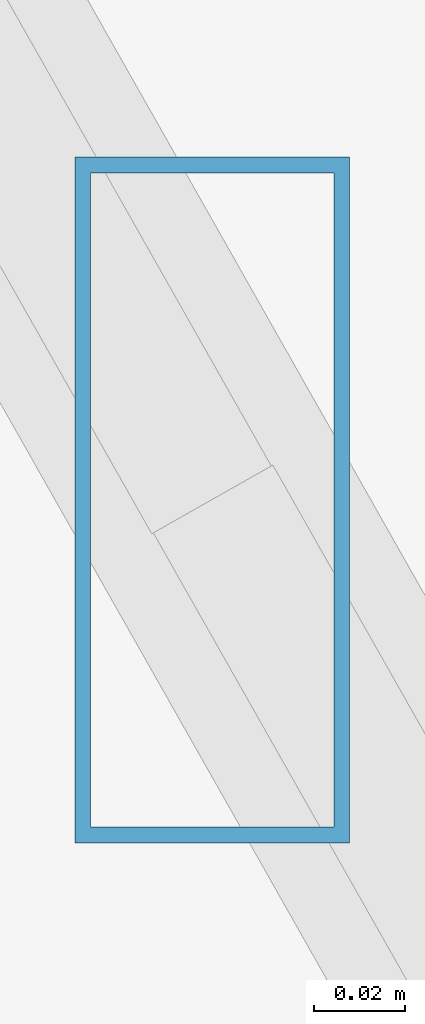
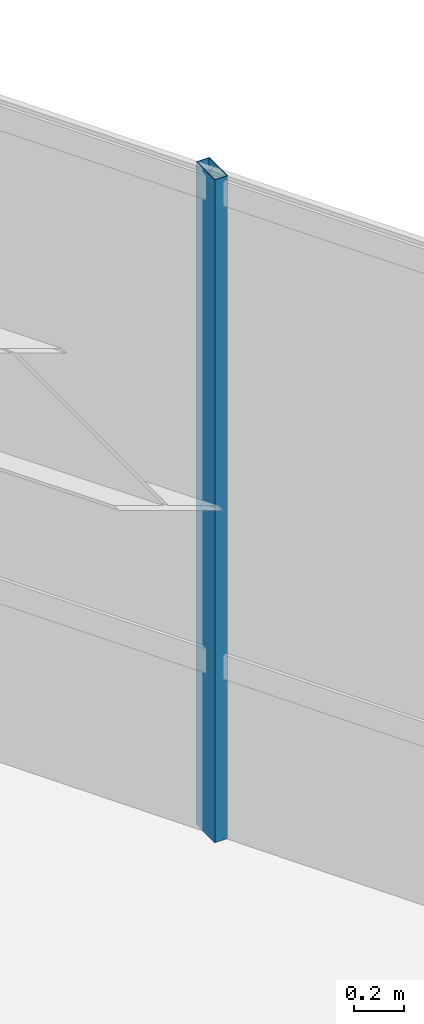
# One storey, part 32 of 40: 1 member, 1 element without a shape of its own.
"""IFC4 building model written with IfcOpenShell, lengths in metres."""

from ifc_helpers import new_model, si_unit, direction, frame, origin, origin_2d, place, context, subcontext, project, spatial, hollow_rectangle, extrude, source, transform, mapped, material, material_profile, profile_set, type_object, type_shapes, element, aggregate, save


model = new_model("IFC4")

# Units and contexts
model_context = context("Model", 3, precision=1e-05, world=origin(), true_north=direction((0.0, 1.0)))
body_context = subcontext(model_context, "Body", "Model", "MODEL_VIEW")
ifc_project = project(units=[si_unit("LENGTHUNIT", "METRE"), si_unit("AREAUNIT", "SQUARE_METRE"), si_unit("VOLUMEUNIT", "CUBIC_METRE"), si_unit("PLANEANGLEUNIT", "RADIAN"), si_unit("MASSUNIT", "GRAM", prefix="KILO")], contexts=[model_context])

# Site, building, storey
site_placement = place(None, origin())
site = spatial("IfcSite", under=ifc_project, at=site_placement, CompositionType="ELEMENT")
building_placement = place(site_placement, origin())
building = spatial("IfcBuilding", under=site, at=building_placement, Name="Caelisora Broadcast Tower", CompositionType="ELEMENT")
storey_placement = place(building_placement, frame((0.0, 0.0, 216.89990234375)))
storey = spatial("IfcBuildingStorey", under=building, at=storey_placement, Name="L57", CompositionType="ELEMENT", Elevation=216.89990234375)

# Curtain wall, member
ifc_material_1 = material(Name="Unitised Aluminium and Low-E Glass Curtain Wall", Category="glass")
curtain_wall_type = type_object("IfcCurtainWallType", Name="CW-Z4", PredefinedType="NOTDEFINED", material=ifc_material_1)
curtain_wall_placement = place(storey_placement, origin())
curtain_wall = element("IfcCurtainWall", 1, at=curtain_wall_placement, inside=storey, type_object=curtain_wall_type, Name="L57 curtain wall CW-Z4", PredefinedType="NOTDEFINED")
ifc_material_2 = material(Name="Aluminium 6063-T6 Anodised Terracotta Bronze", Category="aluminium")
ifc_material_profile = material_profile(ifc_material_2, hollow_rectangle(XDim=0.06005859375, YDim=0.14990234375, WallThickness=0.00341796875, at=origin_2d()), Name="Aluminium 6063-T6 Anodised Terracotta Bronze")
ifc_profile_set = profile_set([ifc_material_profile], Name="Aluminium 6063-T6 Anodised Terracotta Bronze")
member_type = type_object("IfcMemberType", Name="CWM-03", PredefinedType="MULLION", material=ifc_profile_set)
shared_shape = source(origin(), body_context, "Body", "SweptSolid", [
    extrude(hollow_rectangle(XDim=0.06005859375, YDim=0.14990234375, WallThickness=0.00341796875, at=origin_2d()), origin(), (0.0, 0.0, 1.0), 3.25),
])
type_shapes(member_type, [shared_shape])
member_placement = place(storey_placement, frame((46.482666015625, 43.055908203125, 0.0), z_axis=(0.0, 0.0, 1.0), x_axis=(1.0, 0.0, 0.0)))
member = element("IfcMember", 2, at=member_placement, type_object=member_type, Name="L57-CW-B01 mullion #2", PredefinedType="MULLION", context=body_context, shape_type="MappedRepresentation", body=[
    mapped(shared_shape, transform((0.0, 0.0, 0.0), scale=1.0)),
])
aggregate(curtain_wall, [member])

save(model, "model.ifc")
